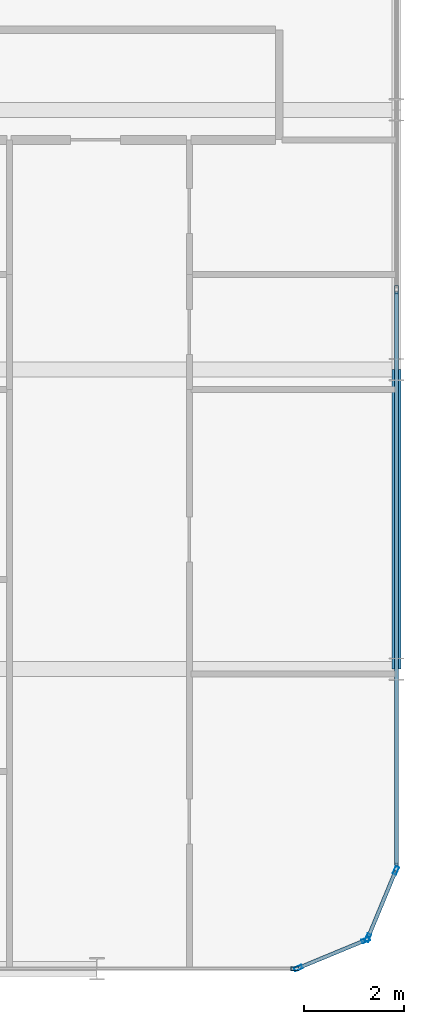
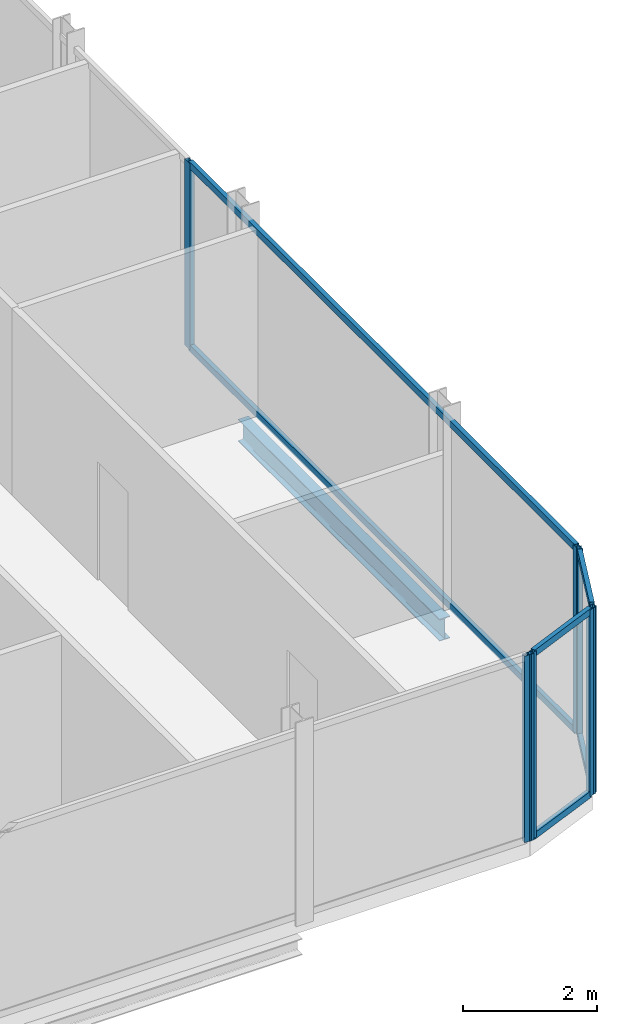
# One storey, part 12 of 29: 13 members, 1 beam, 4 elements without a shape of their own.
"""IFC4 building model written with IfcOpenShell, lengths in metres."""

from ifc_helpers import new_model, si_unit, direction, frame, origin, origin_2d, place, context, subcontext, project, spatial, hollow_rectangle, i_section, extrude, material, layer, layer_set, material_profile, profile_set, type_object, element, aggregate, save


model = new_model("IFC4")

# Units and contexts
model_context = context("Model", 3, precision=1e-05, world=origin(), true_north=direction((0.0, 1.0)))
body_context = subcontext(model_context, "Body", "Model", "MODEL_VIEW")
ifc_project = project(units=[si_unit("LENGTHUNIT", "METRE"), si_unit("AREAUNIT", "SQUARE_METRE"), si_unit("VOLUMEUNIT", "CUBIC_METRE"), si_unit("PLANEANGLEUNIT", "RADIAN"), si_unit("MASSUNIT", "GRAM", prefix="KILO")], contexts=[model_context])

# Site, building, storey
site_placement = place(None, origin())
site = spatial("IfcSite", under=ifc_project, at=site_placement, CompositionType="ELEMENT")
building_placement = place(site_placement, origin())
building = spatial("IfcBuilding", under=site, at=building_placement, Name="Keshet Zoharim Tower", CompositionType="ELEMENT")
storey_placement = place(building_placement, frame((0.0, 0.0, 206.89990234375)))
storey = spatial("IfcBuildingStorey", under=building, at=storey_placement, Name="L51", CompositionType="ELEMENT", Elevation=206.89990234375)

# Beam
ifc_material_1 = material(Name="Steel S355", Category="steel")
ifc_material_profile_1 = material_profile(ifc_material_1, i_section(OverallWidth=0.179931640625, OverallDepth=0.39990234375, WebThickness=0.008544921875, FlangeThickness=0.013427734375, FilletRadius=0.02099609375, at=origin_2d()), Name="IPE400")
ifc_profile_set_1 = profile_set([ifc_material_profile_1], Name="Steel S355")
beam_type = type_object("IfcBeamType", Name="BM-PRI-IP400", PredefinedType="BEAM", material=ifc_profile_set_1)
beam_placement = place(storey_placement, frame((57.0, 6.699951171875, -0.510009765625), z_axis=(0.0, 1.0, 0.0), x_axis=(-1.0, 0.0, 0.0)))
element("IfcBeam", 1, at=beam_placement, inside=storey, type_object=beam_type, Name="L51 Primary Girder Y-013", PredefinedType="BEAM", context=body_context, shape_type="SweptSolid", body=[
    extrude(i_section(OverallWidth=0.179931640625, OverallDepth=0.39990234375, WebThickness=0.008544921875, FlangeThickness=0.013427734375, FilletRadius=0.02099609375, at=origin_2d()), origin(), (0.0, 0.0, 1.0), 6.0),
])

# Curtain wall, members
ifc_material_2 = material(Name="Aluminium 6063-T6", Category="aluminium")
ifc_layer = layer(ifc_material_2, 0.139892578125)
ifc_layer_set = layer_set([ifc_layer], Name="Aluminium 6063-T6")
curtain_wall_type = type_object("IfcCurtainWallType", Name="CW-SYS-05", PredefinedType="NOTDEFINED", material=ifc_layer_set)
curtain_wall_1_placement = place(storey_placement, origin())
curtain_wall_1 = element("IfcCurtainWall", 2, at=curtain_wall_1_placement, inside=storey, type_object=curtain_wall_type, Name="L51 Unitised Curtain Wall 03", PredefinedType="NOTDEFINED")
ifc_material_profile_2 = material_profile(ifc_material_2, hollow_rectangle(XDim=0.074951171875, YDim=0.159912109375, WallThickness=0.00390625, at=origin_2d()), Name="MUL-75x160")
ifc_profile_set_2 = profile_set([ifc_material_profile_2], Name="Aluminium 6063-T6")
member_type_1 = type_object("IfcMemberType", Name="CWM-M15", PredefinedType="MULLION", material=ifc_profile_set_2)
member_1_placement = place(storey_placement, frame((57.0, 14.300048828125, 0.0), z_axis=(0.0, 0.0, 1.0), x_axis=(1.0, 0.0, 0.0)))
member_1 = element("IfcMember", 3, at=member_1_placement, type_object=member_type_1, Name="CW-05 mullion 2", PredefinedType="MULLION", context=body_context, shape_type="SweptSolid", body=[
    extrude(hollow_rectangle(XDim=0.074951171875, YDim=0.159912109375, WallThickness=0.00390625, at=origin_2d()), origin(), (0.0, 0.0, 1.0), 3.39013671875),
])
member_2_placement = place(storey_placement, frame((57.0, 2.735107421875, 0.0), z_axis=(0.0, 0.0, 1.0), x_axis=(1.0, 0.0, 0.0)))
member_2 = element("IfcMember", 4, at=member_2_placement, type_object=member_type_1, Name="CW-05 mullion 3", PredefinedType="MULLION", context=body_context, shape_type="SweptSolid", body=[
    extrude(hollow_rectangle(XDim=0.074951171875, YDim=0.159912109375, WallThickness=0.00390625, at=origin_2d()), origin(), (0.0, 0.0, 1.0), 3.39013671875),
])

curtain_wall_2_placement = place(storey_placement, origin())
curtain_wall_2 = element("IfcCurtainWall", 5, at=curtain_wall_2_placement, inside=storey, type_object=curtain_wall_type, Name="L51 Unitised Curtain Wall 04", PredefinedType="NOTDEFINED")
member_3_placement = place(storey_placement, frame((56.986572265625, 2.667724609375, 0.0), z_axis=(0.0, 0.0, 1.0), x_axis=(0.92380975372, -0.382851849847, 0.0)))
member_3 = element("IfcMember", 6, at=member_3_placement, type_object=member_type_1, Name="CW-05 mullion 1", PredefinedType="MULLION", context=body_context, shape_type="SweptSolid", body=[
    extrude(hollow_rectangle(XDim=0.074951171875, YDim=0.159912109375, WallThickness=0.00390625, at=origin_2d()), origin(), (0.0, 0.0, 1.0), 3.39013671875),
])
member_4_placement = place(storey_placement, frame((56.427490234375, 1.318359375, 0.0), z_axis=(0.0, 0.0, 1.0), x_axis=(0.92380975372, -0.382851849847, 0.0)))
member_4 = element("IfcMember", 7, at=member_4_placement, type_object=member_type_1, Name="CW-05 mullion 2", PredefinedType="MULLION", context=body_context, shape_type="SweptSolid", body=[
    extrude(hollow_rectangle(XDim=0.074951171875, YDim=0.159912109375, WallThickness=0.00390625, at=origin_2d()), origin(), (0.0, 0.0, 1.0), 3.39013671875),
])

curtain_wall_3_placement = place(storey_placement, origin())
curtain_wall_3 = element("IfcCurtainWall", 8, at=curtain_wall_3_placement, inside=storey, type_object=curtain_wall_type, Name="L51 Unitised Curtain Wall 05", PredefinedType="NOTDEFINED")
member_5_placement = place(storey_placement, frame((56.381591796875, 1.272705078125, 0.0), z_axis=(0.0, 0.0, 1.0), x_axis=(0.382851849847, -0.92380975372, 0.0)))
member_5 = element("IfcMember", 9, at=member_5_placement, type_object=member_type_1, Name="CW-05 mullion 1", PredefinedType="MULLION", context=body_context, shape_type="SweptSolid", body=[
    extrude(hollow_rectangle(XDim=0.074951171875, YDim=0.159912109375, WallThickness=0.00390625, at=origin_2d()), origin(), (0.0, 0.0, 1.0), 3.39013671875),
])
member_6_placement = place(storey_placement, frame((55.0322265625, 0.71337890625, 0.0), z_axis=(0.0, 0.0, 1.0), x_axis=(0.382851849847, -0.92380975372, 0.0)))
member_6 = element("IfcMember", 10, at=member_6_placement, type_object=member_type_1, Name="CW-05 mullion 2", PredefinedType="MULLION", context=body_context, shape_type="SweptSolid", body=[
    extrude(hollow_rectangle(XDim=0.074951171875, YDim=0.159912109375, WallThickness=0.00390625, at=origin_2d()), origin(), (0.0, 0.0, 1.0), 3.39013671875),
])

# Curtain wall, member
curtain_wall_4_placement = place(storey_placement, origin())
curtain_wall_4 = element("IfcCurtainWall", 11, at=curtain_wall_4_placement, inside=storey, type_object=curtain_wall_type, Name="L51 Unitised Curtain Wall 06", PredefinedType="NOTDEFINED")
member_7_placement = place(storey_placement, frame((54.965087890625, 0.699951171875, 0.0), z_axis=(0.0, 0.0, 1.0), x_axis=(0.0, -1.0, 0.0)))
member_7 = element("IfcMember", 12, at=member_7_placement, type_object=member_type_1, Name="CW-05 mullion 1", PredefinedType="MULLION", context=body_context, shape_type="SweptSolid", body=[
    extrude(hollow_rectangle(XDim=0.074951171875, YDim=0.159912109375, WallThickness=0.00390625, at=origin_2d()), origin(), (0.0, 0.0, 1.0), 3.39013671875),
])
aggregate(curtain_wall_4, [member_7])

# Member
ifc_material_profile_3 = material_profile(ifc_material_2, hollow_rectangle(XDim=0.074951171875, YDim=0.1201171875, WallThickness=0.00390625, at=origin_2d()), Name="TRN-75x120")
ifc_profile_set_3 = profile_set([ifc_material_profile_3], Name="Aluminium 6063-T6")
member_type_2 = type_object("IfcMemberType", Name="CWT-T12", PredefinedType="USERDEFINED", material=ifc_profile_set_3)
member_8_placement = place(storey_placement, frame((57.0, 14.264892578125, 0.03515625), z_axis=(0.0, -1.0, 0.0), x_axis=(1.0, 0.0, 0.0)))
member_8 = element("IfcMember", 13, at=member_8_placement, type_object=member_type_2, Name="CW-05 transom 2.1", ObjectType="TRANSOM", PredefinedType="USERDEFINED", context=body_context, shape_type="SweptSolid", body=[
    extrude(hollow_rectangle(XDim=0.074951171875, YDim=0.1201171875, WallThickness=0.00390625, at=origin_2d()), origin(), (0.0, 0.0, 1.0), 11.494873046875),
])

member_9_placement = place(storey_placement, frame((57.0, 14.264892578125, 3.35498046875), z_axis=(0.0, -1.0, 0.0), x_axis=(1.0, 0.0, 0.0)))
member_9 = element("IfcMember", 14, at=member_9_placement, type_object=member_type_2, Name="CW-05 transom 2.2", ObjectType="TRANSOM", PredefinedType="USERDEFINED", context=body_context, shape_type="SweptSolid", body=[
    extrude(hollow_rectangle(XDim=0.074951171875, YDim=0.1201171875, WallThickness=0.00390625, at=origin_2d()), origin(), (0.0, 0.0, 1.0), 11.494873046875),
])

aggregate(curtain_wall_1, [member_1, member_2, member_8, member_9])

member_10_placement = place(storey_placement, frame((56.97314453125, 2.63525390625, 0.03515625), z_axis=(-0.382744609247, -0.923854189844, 0.0), x_axis=(0.923854189844, -0.382744609247, 0.0)))
member_10 = element("IfcMember", 15, at=member_10_placement, type_object=member_type_2, Name="CW-05 transom 1.1", ObjectType="TRANSOM", PredefinedType="USERDEFINED", context=body_context, shape_type="SweptSolid", body=[
    extrude(hollow_rectangle(XDim=0.074951171875, YDim=0.1201171875, WallThickness=0.00390625, at=origin_2d()), origin(), (0.0, 0.0, 1.0), 1.390625),
])

member_11_placement = place(storey_placement, frame((56.97314453125, 2.63525390625, 3.35498046875), z_axis=(-0.382744609247, -0.923854189844, 0.0), x_axis=(0.923854189844, -0.382744609247, 0.0)))
member_11 = element("IfcMember", 16, at=member_11_placement, type_object=member_type_2, Name="CW-05 transom 1.2", ObjectType="TRANSOM", PredefinedType="USERDEFINED", context=body_context, shape_type="SweptSolid", body=[
    extrude(hollow_rectangle(XDim=0.074951171875, YDim=0.1201171875, WallThickness=0.00390625, at=origin_2d()), origin(), (0.0, 0.0, 1.0), 1.390625),
])

aggregate(curtain_wall_2, [member_3, member_4, member_10, member_11])

member_12_placement = place(storey_placement, frame((56.349365234375, 1.25927734375, 0.03515625), z_axis=(-0.92379209995, -0.382894445076, 0.0), x_axis=(0.382894445076, -0.92379209995, 0.0)))
member_12 = element("IfcMember", 17, at=member_12_placement, type_object=member_type_2, Name="CW-05 transom 1.1", ObjectType="TRANSOM", PredefinedType="USERDEFINED", context=body_context, shape_type="SweptSolid", body=[
    extrude(hollow_rectangle(XDim=0.074951171875, YDim=0.1201171875, WallThickness=0.00390625, at=origin_2d()), origin(), (0.0, 0.0, 1.0), 1.390625),
])

member_13_placement = place(storey_placement, frame((56.349365234375, 1.25927734375, 3.35498046875), z_axis=(-0.92379209995, -0.382894445076, 0.0), x_axis=(0.382894445076, -0.92379209995, 0.0)))
member_13 = element("IfcMember", 18, at=member_13_placement, type_object=member_type_2, Name="CW-05 transom 1.2", ObjectType="TRANSOM", PredefinedType="USERDEFINED", context=body_context, shape_type="SweptSolid", body=[
    extrude(hollow_rectangle(XDim=0.074951171875, YDim=0.1201171875, WallThickness=0.00390625, at=origin_2d()), origin(), (0.0, 0.0, 1.0), 1.390625),
])

aggregate(curtain_wall_3, [member_5, member_6, member_12, member_13])

save(model, "model.ifc")
